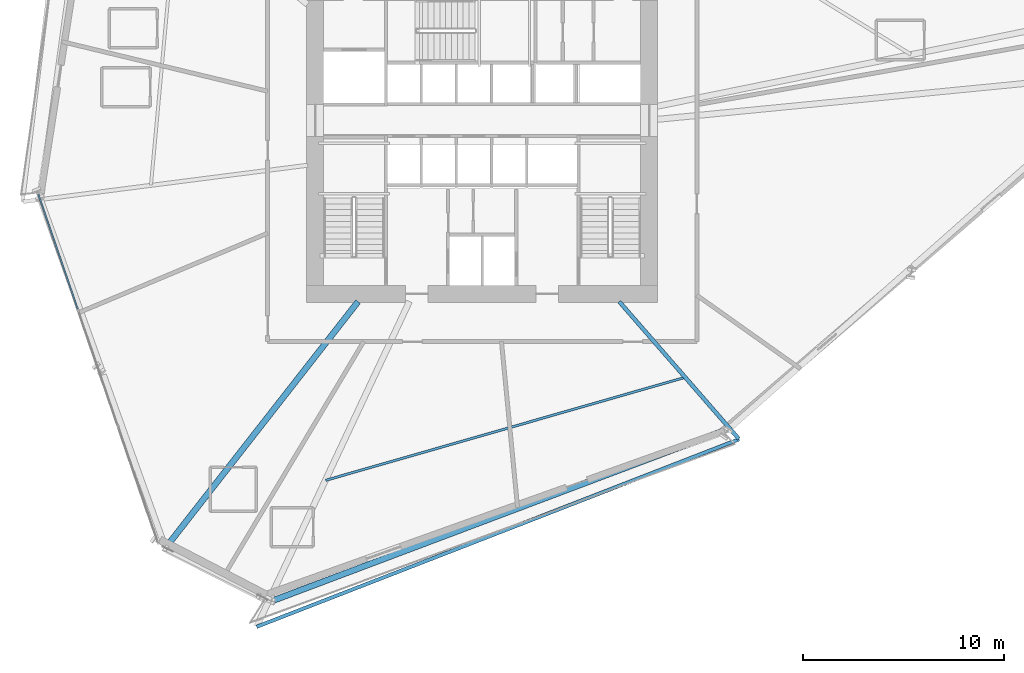
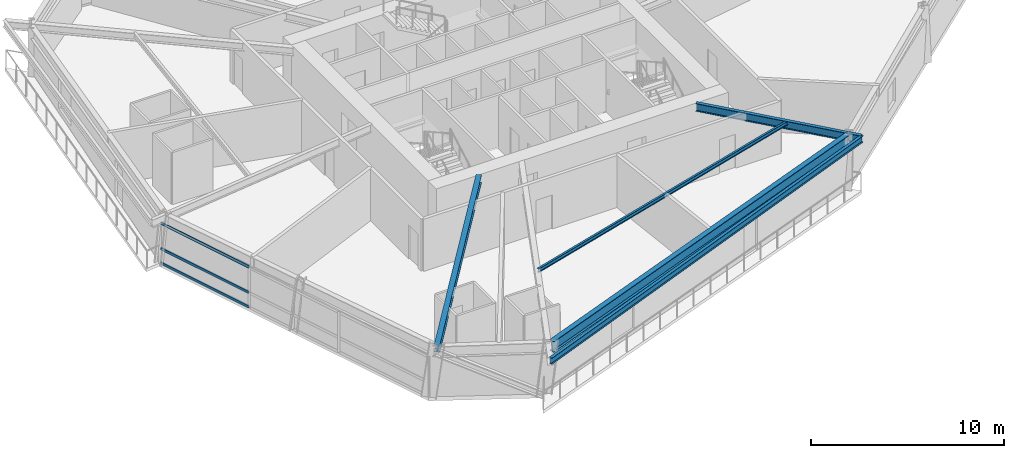
# One storey, part 5 of 22: 5 beams, 3 members, 1 element without a shape of its own.
"""IFC4 building model written with IfcOpenShell, lengths in metres."""

from ifc_helpers import new_model, si_unit, direction, frame, origin, origin_2d, place, context, subcontext, project, spatial, hollow_rectangle, i_section, extrude, source, transform, mapped, material, material_profile, profile_set, type_object, element, aggregate, save


model = new_model("IFC4")

# Units and contexts
model_context = context("Model", 3, precision=1e-05, world=origin(), true_north=direction((0.0, 1.0)))
body_context = subcontext(model_context, "Body", "Model", "MODEL_VIEW")
ifc_project = project(units=[si_unit("LENGTHUNIT", "METRE"), si_unit("AREAUNIT", "SQUARE_METRE"), si_unit("VOLUMEUNIT", "CUBIC_METRE"), si_unit("PLANEANGLEUNIT", "RADIAN"), si_unit("MASSUNIT", "GRAM", prefix="KILO")], contexts=[model_context])

# Site, building, storey
site_placement = place(None, origin())
site = spatial("IfcSite", under=ifc_project, at=site_placement, CompositionType="ELEMENT")
building_placement = place(site_placement, origin())
building = spatial("IfcBuilding", under=site, at=building_placement, Name="Olszyna Solenne Hotel", CompositionType="ELEMENT")
storey_placement = place(building_placement, frame((0.0, 0.0, 61.25)))
storey = spatial("IfcBuildingStorey", under=building, at=storey_placement, Name="L15", CompositionType="ELEMENT", Elevation=61.25)

# Beams
ifc_material_1 = material(Name="Steel S355J2", Category="steel")
ifc_material_profile_1 = material_profile(ifc_material_1, i_section(OverallWidth=0.300048828125, OverallDepth=0.699951171875, WebThickness=0.01708984375, FlangeThickness=0.031982421875, at=origin_2d()), Name="HEB 700", Category="load-bearing")
ifc_profile_set_1 = profile_set([ifc_material_profile_1], Name="Steel S355J2")
beam_type_1 = type_object("IfcBeamType", Name="BM-S1", PredefinedType="BEAM", material=ifc_profile_set_1)
shared_shape_1 = source(origin(), body_context, "Body", "SweptSolid", [
    extrude(i_section(OverallWidth=0.300048828125, OverallDepth=0.699951171875, WebThickness=0.01708984375, FlangeThickness=0.031982421875, at=origin_2d()), origin(), (0.0, 0.0, 1.0), 24.2314453125),
])
beam_1_placement = place(storey_placement, frame((27.574462890625, 3.787109375, 2.949951171875), z_axis=(0.93575654222, 0.352646698116, 0.0), x_axis=(-0.352646698116, 0.93575654222, 0.0)))
element("IfcBeam", 1, at=beam_1_placement, inside=storey, type_object=beam_type_1, Name="Perimeter spandrel beam BM-S1 B-L15-0475", PredefinedType="BEAM", context=body_context, shape_type="MappedRepresentation", body=[
    mapped(shared_shape_1, transform((0.0, 0.0, 0.0), x_axis=(1.0, 0.0, 0.0), y_axis=(0.0, 1.0, 0.0), z_axis=(0.0, 0.0, 1.0), scale=1.0)),
])
ifc_material_profile_2 = material_profile(ifc_material_1, i_section(OverallWidth=0.300048828125, OverallDepth=0.489990234375, WebThickness=0.011962890625, FlangeThickness=0.02294921875, at=origin_2d()), Name="HEA 500", Category="load-bearing")
ifc_profile_set_2 = profile_set([ifc_material_profile_2], Name="Steel S355J2")
beam_type_2 = type_object("IfcBeamType", Name="BM-G1", PredefinedType="BEAM", material=ifc_profile_set_2)
shared_shape_2 = source(origin(), body_context, "Body", "SweptSolid", [
    extrude(i_section(OverallWidth=0.300048828125, OverallDepth=0.489990234375, WebThickness=0.011962890625, FlangeThickness=0.02294921875, at=origin_2d()), origin(), (0.0, 0.0, 1.0), 15.526611328125),
])
beam_2_placement = place(storey_placement, frame((22.25048828125, 6.4580078125, 3.054931640625), z_axis=(0.615969872645, 0.78776971, 0.0), x_axis=(-0.78776971, 0.615969872645, 0.0)))
element("IfcBeam", 2, at=beam_2_placement, inside=storey, type_object=beam_type_2, Name="Radial floor girder BM-G1 B-L15-0484", PredefinedType="BEAM", context=body_context, shape_type="MappedRepresentation", body=[
    mapped(shared_shape_2, transform((0.0, 0.0, 0.0), x_axis=(1.0, 0.0, 0.0), y_axis=(0.0, 1.0, 0.0), z_axis=(0.0, 0.0, 1.0), scale=1.0)),
])
ifc_material_profile_3 = material_profile(ifc_material_1, i_section(OverallWidth=0.199951171875, OverallDepth=0.5, WebThickness=0.01025390625, FlangeThickness=0.01611328125, at=origin_2d()), Name="IPE 500", Category="load-bearing")
ifc_profile_set_3 = profile_set([ifc_material_profile_3], Name="Steel S355J2")
beam_type_3 = type_object("IfcBeamType", Name="BM-F3", PredefinedType="BEAM", material=ifc_profile_set_3)
shared_shape_3 = source(origin(), body_context, "Body", "SweptSolid", [
    extrude(i_section(OverallWidth=0.199951171875, OverallDepth=0.5, WebThickness=0.01025390625, FlangeThickness=0.01611328125, at=origin_2d()), origin(), (0.0, 0.0, 1.0), 9.0751953125),
])
beam_3_placement = place(storey_placement, frame((50.79443359375, 11.84423828125, 3.050048828125), z_axis=(-0.656779264411, 0.754082885259, 0.0), x_axis=(-0.754082885259, -0.656779264411, 0.0)))
element("IfcBeam", 3, at=beam_3_placement, inside=storey, type_object=beam_type_3, Name="Radial floor girder BM-F3 B-L15-0486", PredefinedType="BEAM", context=body_context, shape_type="MappedRepresentation", body=[
    mapped(shared_shape_3, transform((0.0, 0.0, 0.0), x_axis=(1.0, 0.0, 0.0), y_axis=(0.0, 1.0, 0.0), z_axis=(0.0, 0.0, 1.0), scale=1.0)),
])
ifc_material_profile_4 = material_profile(ifc_material_1, i_section(OverallWidth=0.1201171875, OverallDepth=0.239990234375, WebThickness=0.006103515625, FlangeThickness=0.009765625, at=origin_2d()), Name="IPE 240", Category="load-bearing")
ifc_profile_set_4 = profile_set([ifc_material_profile_4], Name="Steel S355J2")
beam_type_4 = type_object("IfcBeamType", Name="JS-03", PredefinedType="JOIST", material=ifc_profile_set_4)
shared_shape_4 = source(origin(), body_context, "Body", "SweptSolid", [
    extrude(i_section(OverallWidth=0.1201171875, OverallDepth=0.239990234375, WebThickness=0.006103515625, FlangeThickness=0.009765625, at=origin_2d()), origin(), (0.0, 0.0, 1.0), 18.617431640625),
])
beam_4_placement = place(storey_placement, frame((30.202880859375, 9.783203125, 3.179931640625), z_axis=(0.961333693759, 0.2753861457, 0.0), x_axis=(-0.2753861457, 0.961333693759, 0.0)))
element("IfcBeam", 4, at=beam_4_placement, inside=storey, type_object=beam_type_4, Name="Secondary composite floor joist JS-03 B-L15-0491", PredefinedType="JOIST", context=body_context, shape_type="MappedRepresentation", body=[
    mapped(shared_shape_4, transform((0.0, 0.0, 0.0), x_axis=(1.0, 0.0, 0.0), y_axis=(0.0, 1.0, 0.0), z_axis=(0.0, 0.0, 1.0), scale=1.0)),
])
ifc_material_profile_5 = material_profile(ifc_material_1, i_section(OverallWidth=0.179931640625, OverallDepth=0.39990234375, WebThickness=0.008544921875, FlangeThickness=0.013427734375, at=origin_2d()), Name="IPE 400", Category="load-bearing")
ifc_profile_set_5 = profile_set([ifc_material_profile_5], Name="Steel S355J2")
beam_type_5 = type_object("IfcBeamType", Name="BM-F5", PredefinedType="BEAM", material=ifc_profile_set_5)
shared_shape_5 = source(origin(), body_context, "Body", "SweptSolid", [
    extrude(i_section(OverallWidth=0.179931640625, OverallDepth=0.39990234375, WebThickness=0.008544921875, FlangeThickness=0.013427734375, at=origin_2d()), origin(), (0.0, 0.0, 1.0), 25.802978515625),
])
beam_5_placement = place(storey_placement, frame((26.75732421875, 2.481201171875, 3.10009765625), z_axis=(0.932070000323, 0.362278228021, 0.0), x_axis=(-0.362278228021, 0.932070000323, 0.0)))
element("IfcBeam", 5, at=beam_5_placement, inside=storey, type_object=beam_type_5, Name="Loggia outer edge beam BM-F5 B-L15-0494", PredefinedType="BEAM", context=body_context, shape_type="MappedRepresentation", body=[
    mapped(shared_shape_5, transform((0.0, 0.0, 0.0), x_axis=(1.0, 0.0, 0.0), y_axis=(0.0, 1.0, 0.0), z_axis=(0.0, 0.0, 1.0), scale=1.0)),
])

# Curtain wall, members
ifc_material_2 = material(Name="Anodised bronze aluminium", Category="aluminium")
curtain_wall_type = type_object("IfcCurtainWallType", Name="CW-SYS-2", PredefinedType="NOTDEFINED", material=ifc_material_2)
curtain_wall_placement = place(storey_placement, origin())
curtain_wall = element("IfcCurtainWall", 6, at=curtain_wall_placement, inside=storey, type_object=curtain_wall_type, Name="Unitised curtain wall CW-SYS-2 CW-L15-01", PredefinedType="NOTDEFINED")
ifc_material_profile_6 = material_profile(ifc_material_2, hollow_rectangle(XDim=0.074951171875, YDim=0.159912109375, WallThickness=0.00390625, at=origin_2d()), Name="TRAN 160x75x4", Category="load-bearing")
ifc_profile_set_6 = profile_set([ifc_material_profile_6], Name="Anodised bronze aluminium")
member_type = type_object("IfcMemberType", Name="CW-T1", PredefinedType="USERDEFINED", material=ifc_profile_set_6)
shared_shape_6 = source(origin(), body_context, "Body", "SweptSolid", [
    extrude(hollow_rectangle(XDim=0.074951171875, YDim=0.159912109375, WallThickness=0.00390625, at=origin_2d()), origin(), (0.0, 0.0, 1.0), 6.046875),
])
member_1_placement = place(storey_placement, frame((15.871826171875, 24.048828125, 0.03759765625), z_axis=(0.32517680682, -0.945653236819, 0.0), x_axis=(0.945653236819, 0.32517680682, 0.0)))
member_1 = element("IfcMember", 7, at=member_1_placement, type_object=member_type, Name="Curtain-wall transom CW-T1 CT-L15-01-01", ObjectType="TRANSOM", PredefinedType="USERDEFINED", context=body_context, shape_type="MappedRepresentation", body=[
    mapped(shared_shape_6, transform((0.0, 0.0, 0.0), x_axis=(1.0, 0.0, 0.0), y_axis=(0.0, 1.0, 0.0), z_axis=(0.0, 0.0, 1.0), scale=1.0)),
])
member_2_placement = place(storey_placement, frame((15.871826171875, 24.048828125, 0.949951171875), z_axis=(0.32517680682, -0.945653236819, 0.0), x_axis=(0.945653236819, 0.32517680682, 0.0)))
member_2 = element("IfcMember", 8, at=member_2_placement, type_object=member_type, Name="Curtain-wall transom CW-T1 CT-L15-01-02", ObjectType="TRANSOM", PredefinedType="USERDEFINED", context=body_context, shape_type="MappedRepresentation", body=[
    mapped(shared_shape_6, transform((0.0, 0.0, 0.0), x_axis=(1.0, 0.0, 0.0), y_axis=(0.0, 1.0, 0.0), z_axis=(0.0, 0.0, 1.0), scale=1.0)),
])
member_3_placement = place(storey_placement, frame((15.871826171875, 24.048828125, 2.554443359375), z_axis=(0.32517680682, -0.945653236819, 0.0), x_axis=(0.945653236819, 0.32517680682, 0.0)))
member_3 = element("IfcMember", 9, at=member_3_placement, type_object=member_type, Name="Curtain-wall transom CW-T1 CT-L15-01-03", ObjectType="TRANSOM", PredefinedType="USERDEFINED", context=body_context, shape_type="MappedRepresentation", body=[
    mapped(shared_shape_6, transform((0.0, 0.0, 0.0), x_axis=(1.0, 0.0, 0.0), y_axis=(0.0, 1.0, 0.0), z_axis=(0.0, 0.0, 1.0), scale=1.0)),
])
aggregate(curtain_wall, [member_1, member_2, member_3])

save(model, "model.ifc")
